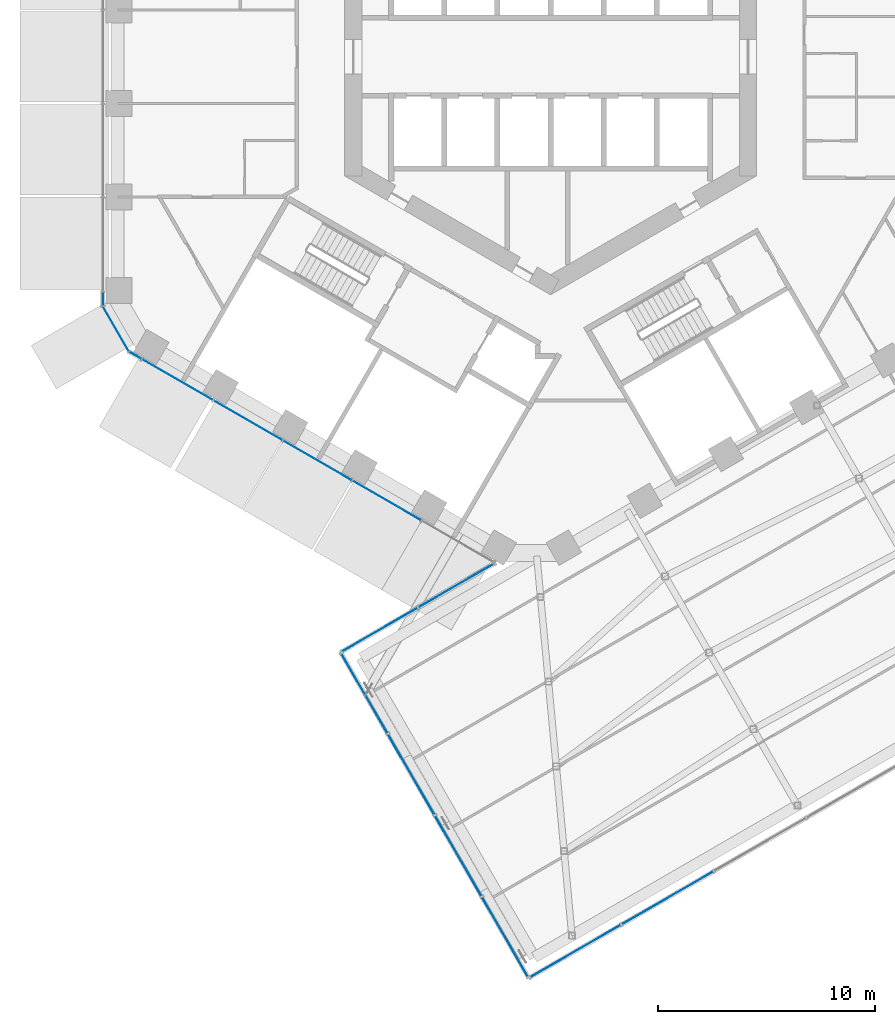
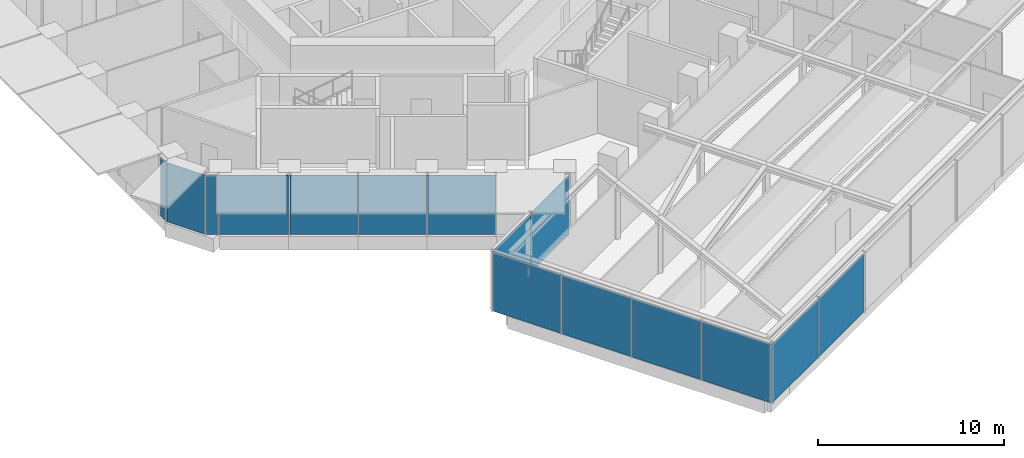
# One storey, part 11 of 28: 15 plates, 5 elements without a shape of their own.
"""IFC4 building model written with IfcOpenShell, lengths in metres."""

from ifc_helpers import new_model, si_unit, direction, frame, origin, origin_2d, place, context, subcontext, project, spatial, rectangle, extrude, material, layer, layer_set, type_object, element, aggregate, save


model = new_model("IFC4")

# Units and contexts
model_context = context("Model", 3, precision=1e-05, world=origin(), true_north=direction((0.0, 1.0)))
body_context = subcontext(model_context, "Body", "Model", "MODEL_VIEW")
ifc_project = project(units=[si_unit("LENGTHUNIT", "METRE"), si_unit("AREAUNIT", "SQUARE_METRE"), si_unit("VOLUMEUNIT", "CUBIC_METRE"), si_unit("PLANEANGLEUNIT", "RADIAN"), si_unit("MASSUNIT", "GRAM", prefix="KILO")], contexts=[model_context])

# Site, building, storey
site_placement = place(None, origin())
site = spatial("IfcSite", under=ifc_project, at=site_placement, CompositionType="ELEMENT")
building_placement = place(site_placement, origin())
building = spatial("IfcBuilding", under=site, at=building_placement, Name="Ayvan Gate Tower", CompositionType="ELEMENT")
storey_placement = place(building_placement, frame((0.0, 0.0, 74.300048828125)))
storey = spatial("IfcBuildingStorey", under=building, at=storey_placement, Name="L19", CompositionType="ELEMENT", Elevation=74.300048828125)

# Curtain wall, plates
ifc_material_1 = material(Name="Bronze anodised aluminium", Category="aluminium")
ifc_layer_1 = layer(ifc_material_1, 0.199951171875)
ifc_layer_set_1 = layer_set([ifc_layer_1], Name="Bronze anodised aluminium")
curtain_wall_type_1 = type_object("IfcCurtainWallType", Name="Stick curtain wall CW-1", PredefinedType="NOTDEFINED", material=ifc_layer_set_1)
curtain_wall_1_placement = place(storey_placement, origin())
curtain_wall_1 = element("IfcCurtainWall", 1, at=curtain_wall_1_placement, inside=storey, type_object=curtain_wall_type_1, Name="Stick curtain wall CW-1 L19", PredefinedType="NOTDEFINED")
ifc_material_2 = material(Name="Clear low-iron laminated glass", Category="glass")
ifc_layer_2 = layer(ifc_material_2, 0.028076171875)
ifc_layer_set_2 = layer_set([ifc_layer_2], Name="Clear low-iron laminated glass")
plate_type_1 = type_object("IfcPlateType", Name="Stick curtain wall CW-1 glass panel", PredefinedType="CURTAIN_PANEL", material=ifc_layer_set_2)
plate_1_placement = place(storey_placement, frame((-17.2041015625, -14.87548828125, 0.0), z_axis=(0.0, 0.0, 1.0), x_axis=(0.866025403784, -0.5, 0.0)))
plate_1 = element("IfcPlate", 2, at=plate_1_placement, type_object=plate_type_1, Name="CW-1 glass panel 1", PredefinedType="CURTAIN_PANEL", context=body_context, shape_type="SweptSolid", body=[
    extrude(rectangle(XDim=3.77001953125, YDim=0.028076171875, at=origin_2d()), origin(), (0.0, 0.0, 1.0), 3.8798828125),
])
plate_2_placement = place(storey_placement, frame((-13.9443359375, -16.757568359375, 0.0), z_axis=(0.0, 0.0, 1.0), x_axis=(0.866025403784, -0.5, 0.0)))
plate_2 = element("IfcPlate", 3, at=plate_2_placement, type_object=plate_type_1, Name="CW-1 glass panel 2", PredefinedType="CURTAIN_PANEL", context=body_context, shape_type="SweptSolid", body=[
    extrude(rectangle(XDim=3.637939453125, YDim=0.028076171875, at=origin_2d()), origin(), (0.0, 0.0, 1.0), 3.8798828125),
])
plate_3_placement = place(storey_placement, frame((-10.742431640625, -18.606201171875, 0.0), z_axis=(0.0, 0.0, 1.0), x_axis=(0.866025403784, -0.5, 0.0)))
plate_3 = element("IfcPlate", 4, at=plate_3_placement, type_object=plate_type_1, Name="CW-1 glass panel 3", PredefinedType="CURTAIN_PANEL", context=body_context, shape_type="SweptSolid", body=[
    extrude(rectangle(XDim=3.636962890625, YDim=0.028076171875, at=origin_2d()), origin(), (0.0, 0.0, 1.0), 3.8798828125),
])
plate_4_placement = place(storey_placement, frame((-7.540283203125, -20.454833984375, 0.0), z_axis=(0.0, 0.0, 1.0), x_axis=(0.866025403784, -0.5, 0.0)))
plate_4 = element("IfcPlate", 5, at=plate_4_placement, type_object=plate_type_1, Name="CW-1 glass panel 4", PredefinedType="CURTAIN_PANEL", context=body_context, shape_type="SweptSolid", body=[
    extrude(rectangle(XDim=3.637939453125, YDim=0.028076171875, at=origin_2d()), origin(), (0.0, 0.0, 1.0), 3.8798828125),
])
aggregate(curtain_wall_1, [plate_1, plate_2, plate_3, plate_4])

# Curtain wall, plate
ifc_layer_3 = layer(ifc_material_1, 0.199951171875)
ifc_layer_set_3 = layer_set([ifc_layer_3], Name="Bronze anodised aluminium")
curtain_wall_type_2 = type_object("IfcCurtainWallType", Name="Stick curtain wall CW-4", PredefinedType="NOTDEFINED", material=ifc_layer_set_3)
curtain_wall_2_placement = place(storey_placement, origin())
curtain_wall_2 = element("IfcCurtainWall", 6, at=curtain_wall_2_placement, inside=storey, type_object=curtain_wall_type_2, Name="Stick curtain wall CW-4 L19", PredefinedType="NOTDEFINED")
ifc_layer_4 = layer(ifc_material_2, 0.028076171875)
ifc_layer_set_4 = layer_set([ifc_layer_4], Name="Clear low-iron laminated glass")
plate_type_2 = type_object("IfcPlateType", Name="Stick curtain wall CW-4 glass panel", PredefinedType="CURTAIN_PANEL", material=ifc_layer_set_4)
plate_5_placement = place(storey_placement, frame((5.394775390625, -38.76904296875, 0.0), z_axis=(0.0, 0.0, 1.0), x_axis=(0.866025403784, 0.5, 0.0)))
plate_5 = element("IfcPlate", 7, at=plate_5_placement, type_object=plate_type_2, Name="CW-4 glass panel 2", PredefinedType="CURTAIN_PANEL", context=body_context, shape_type="SweptSolid", body=[
    extrude(rectangle(XDim=4.844970703125, YDim=0.028076171875, at=origin_2d()), origin(), (0.0, 0.0, 1.0), 3.860107421875),
])

curtain_wall_3_placement = place(storey_placement, origin())
curtain_wall_3 = element("IfcCurtainWall", 8, at=curtain_wall_3_placement, inside=storey, type_object=curtain_wall_type_2, Name="Stick curtain wall CW-4 L19", PredefinedType="NOTDEFINED")
plate_6_placement = place(storey_placement, frame((-4.312744140625, -24.351806640625, 0.0), z_axis=(0.0, 0.0, 1.0), x_axis=(-0.866025403784, -0.5, 0.0)))
plate_6 = element("IfcPlate", 9, at=plate_6_placement, type_object=plate_type_2, Name="CW-4 glass panel 1", PredefinedType="CURTAIN_PANEL", context=body_context, shape_type="SweptSolid", body=[
    extrude(rectangle(XDim=4.046142578125, YDim=0.028076171875, at=origin_2d()), origin(), (0.0, 0.0, 1.0), 3.860107421875),
])

# Curtain wall, plates
curtain_wall_4_placement = place(storey_placement, origin())
curtain_wall_4 = element("IfcCurtainWall", 10, at=curtain_wall_4_placement, inside=storey, type_object=curtain_wall_type_2, Name="Stick curtain wall CW-4 L19", PredefinedType="NOTDEFINED")
ifc_material_3 = material(Name="Pale anodised aluminium composite panel", Category="aluminium")
ifc_layer_5 = layer(ifc_material_3, 0.028076171875)
ifc_layer_set_5 = layer_set([ifc_layer_5], Name="Pale anodised aluminium composite panel")
plate_type_3 = type_object("IfcPlateType", Name="Stick curtain wall CW-4 solid panel", PredefinedType="CURTAIN_PANEL", material=ifc_layer_set_5)
plate_7_placement = place(storey_placement, frame((-8.589111328125, -29.3232421875, 0.0), z_axis=(0.0, 0.0, 1.0), x_axis=(0.5, -0.866025403784, 0.0)))
plate_7 = element("IfcPlate", 11, at=plate_7_placement, type_object=plate_type_3, Name="CW-4 solid panel 1", PredefinedType="CURTAIN_PANEL", context=body_context, shape_type="SweptSolid", body=[
    extrude(rectangle(XDim=4.2548828125, YDim=0.028076171875, at=origin_2d()), origin(), (0.0, 0.0, 1.0), 3.860107421875),
])
plate_8_placement = place(storey_placement, frame((-6.421630859375, -33.077392578125, 0.0), z_axis=(0.0, 0.0, 1.0), x_axis=(0.5, -0.866025403784, 0.0)))
plate_8 = element("IfcPlate", 12, at=plate_8_placement, type_object=plate_type_3, Name="CW-4 solid panel 2", PredefinedType="CURTAIN_PANEL", context=body_context, shape_type="SweptSolid", body=[
    extrude(rectangle(XDim=4.2548828125, YDim=0.028076171875, at=origin_2d()), origin(), (0.0, 0.0, 1.0), 3.860107421875),
])
plate_9_placement = place(storey_placement, frame((-4.254150390625, -36.83154296875, 0.0), z_axis=(0.0, 0.0, 1.0), x_axis=(0.5, -0.866025403784, 0.0)))
plate_9 = element("IfcPlate", 13, at=plate_9_placement, type_object=plate_type_3, Name="CW-4 solid panel 3", PredefinedType="CURTAIN_PANEL", context=body_context, shape_type="SweptSolid", body=[
    extrude(rectangle(XDim=4.2548828125, YDim=0.028076171875, at=origin_2d()), origin(), (0.0, 0.0, 1.0), 3.860107421875),
])
plate_10_placement = place(storey_placement, frame((-2.086669921875, -40.585693359375, 0.0), z_axis=(0.0, 0.0, 1.0), x_axis=(0.5, -0.866025403784, 0.0)))
plate_10 = element("IfcPlate", 14, at=plate_10_placement, type_object=plate_type_3, Name="CW-4 solid panel 4", PredefinedType="CURTAIN_PANEL", context=body_context, shape_type="SweptSolid", body=[
    extrude(rectangle(XDim=4.2548828125, YDim=0.028076171875, at=origin_2d()), origin(), (0.0, 0.0, 1.0), 3.860107421875),
])
aggregate(curtain_wall_4, [plate_7, plate_8, plate_9, plate_10])

# Plate
plate_11_placement = place(storey_placement, frame((1.129638671875, -41.231689453125, 0.0), z_axis=(0.0, 0.0, 1.0), x_axis=(0.866025403784, 0.5, 0.0)))
plate_11 = element("IfcPlate", 15, at=plate_11_placement, type_object=plate_type_3, Name="CW-4 solid panel 1", PredefinedType="CURTAIN_PANEL", context=body_context, shape_type="SweptSolid", body=[
    extrude(rectangle(XDim=4.844970703125, YDim=0.028076171875, at=origin_2d()), origin(), (0.0, 0.0, 1.0), 3.860107421875),
])

aggregate(curtain_wall_2, [plate_11, plate_5])

plate_12_placement = place(storey_placement, frame((-7.885986328125, -26.414794921875, 0.0), z_axis=(0.0, 0.0, 1.0), x_axis=(-0.866025403784, -0.5, 0.0)))
plate_12 = element("IfcPlate", 16, at=plate_12_placement, type_object=plate_type_3, Name="CW-4 solid panel 2", PredefinedType="CURTAIN_PANEL", context=body_context, shape_type="SweptSolid", body=[
    extrude(rectangle(XDim=4.046142578125, YDim=0.028076171875, at=origin_2d()), origin(), (0.0, 0.0, 1.0), 3.860107421875),
])

aggregate(curtain_wall_3, [plate_6, plate_12])

# Curtain wall, plates
ifc_layer_6 = layer(ifc_material_1, 0.199951171875)
ifc_layer_set_6 = layer_set([ifc_layer_6], Name="Bronze anodised aluminium")
curtain_wall_type_3 = type_object("IfcCurtainWallType", Name="Stick curtain wall CW-6", PredefinedType="NOTDEFINED", material=ifc_layer_set_6)
curtain_wall_5_placement = place(storey_placement, origin())
curtain_wall_5 = element("IfcCurtainWall", 17, at=curtain_wall_5_placement, inside=storey, type_object=curtain_wall_type_3, Name="Stick curtain wall CW-6 L19", PredefinedType="NOTDEFINED")
ifc_layer_7 = layer(ifc_material_2, 0.028076171875)
ifc_layer_set_7 = layer_set([ifc_layer_7], Name="Clear low-iron laminated glass")
plate_type_4 = type_object("IfcPlateType", Name="Stick curtain wall CW-6 glass panel", PredefinedType="CURTAIN_PANEL", material=ifc_layer_set_7)
plate_13_placement = place(storey_placement, frame((-20.6328125, -11.164306640625, 0.0), z_axis=(0.0, 0.0, 1.0), x_axis=(0.0, -1.0, 0.0)))
plate_13 = element("IfcPlate", 18, at=plate_13_placement, type_object=plate_type_4, Name="CW-6 glass panel 1", PredefinedType="CURTAIN_PANEL", context=body_context, shape_type="SweptSolid", body=[
    extrude(rectangle(XDim=0.625, YDim=0.028076171875, at=origin_2d()), origin(), (0.0, 0.0, 1.0), 3.8798828125),
])
plate_14_placement = place(storey_placement, frame((-20.029052734375, -12.54736328125, 0.0), z_axis=(0.0, 0.0, 1.0), x_axis=(0.5, -0.866025403784, 0.0)))
plate_14 = element("IfcPlate", 19, at=plate_14_placement, type_object=plate_type_4, Name="CW-6 glass panel 2", PredefinedType="CURTAIN_PANEL", context=body_context, shape_type="SweptSolid", body=[
    extrude(rectangle(XDim=2.364501953125, YDim=0.028076171875, at=origin_2d()), origin(), (0.0, 0.0, 1.0), 3.8798828125),
])
plate_15_placement = place(storey_placement, frame((-19.13330078125, -13.76171875, 0.0), z_axis=(0.0, 0.0, 1.0), x_axis=(0.866025403784, -0.5, 0.0)))
plate_15 = element("IfcPlate", 20, at=plate_15_placement, type_object=plate_type_4, Name="CW-6 glass panel 3", PredefinedType="CURTAIN_PANEL", context=body_context, shape_type="SweptSolid", body=[
    extrude(rectangle(XDim=0.625, YDim=0.028076171875, at=origin_2d()), origin(), (0.0, 0.0, 1.0), 3.8798828125),
])
aggregate(curtain_wall_5, [plate_13, plate_14, plate_15])

save(model, "model.ifc")
